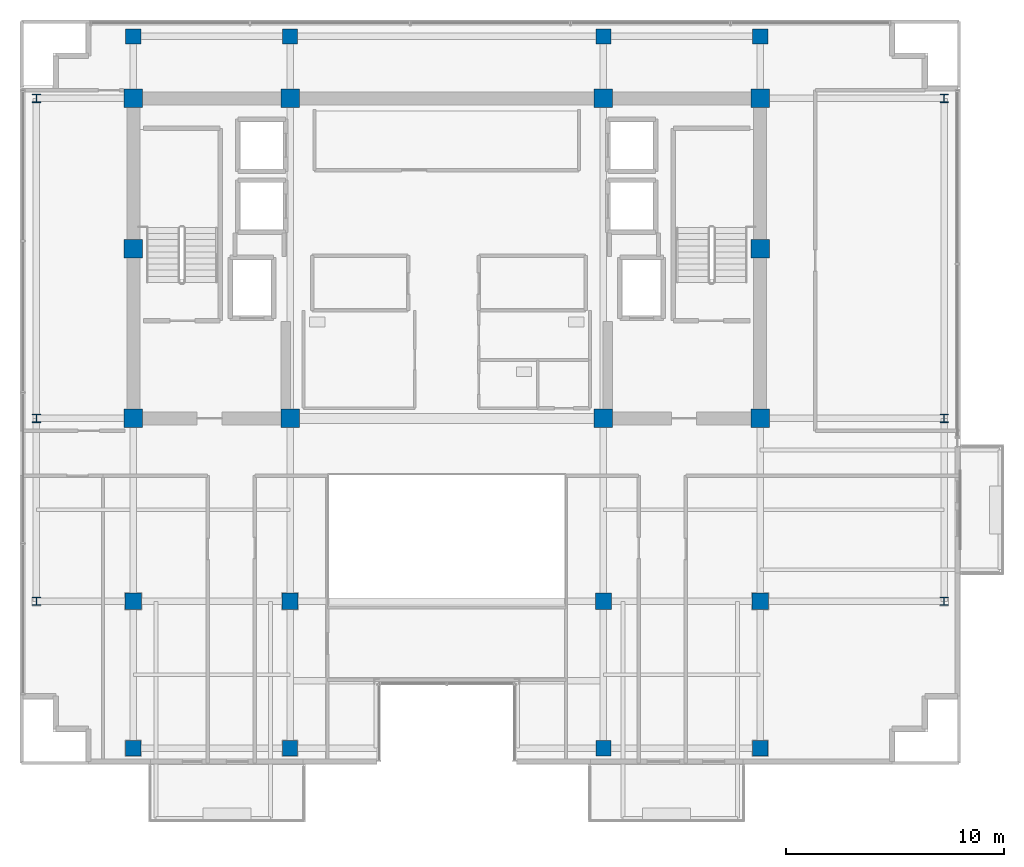
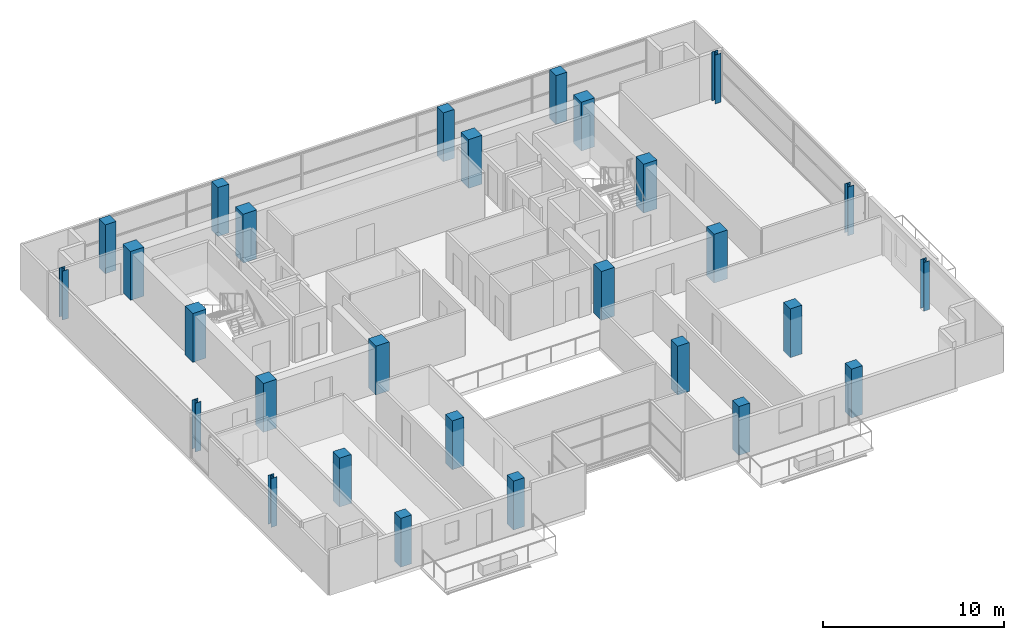
# One storey, part 1 of 22: 28 columns.
"""IFC4 building model written with IfcOpenShell, lengths in metres."""

from ifc_helpers import new_model, si_unit, direction, frame, origin, origin_2d, place, context, subcontext, project, spatial, rectangle, i_section, extrude, material, material_profile, profile_set, type_object, element, save


model = new_model("IFC4")

# Units and contexts
model_context = context("Model", 3, precision=1e-05, world=origin(), true_north=direction((0.0, 1.0)))
body_context = subcontext(model_context, "Body", "Model", "MODEL_VIEW")
ifc_project = project(units=[si_unit("LENGTHUNIT", "METRE"), si_unit("AREAUNIT", "SQUARE_METRE"), si_unit("VOLUMEUNIT", "CUBIC_METRE"), si_unit("PLANEANGLEUNIT", "RADIAN"), si_unit("MASSUNIT", "GRAM", prefix="KILO")], contexts=[model_context])

# Site, building, storey
site_placement = place(None, origin())
site = spatial("IfcSite", under=ifc_project, at=site_placement, CompositionType="ELEMENT")
building_placement = place(site_placement, origin())
building = spatial("IfcBuilding", under=site, at=building_placement, Name="Zarnakvel Exchange Tower", CompositionType="ELEMENT")
storey_placement = place(building_placement, frame((0.0, 0.0, 238.60009765625)))
storey = spatial("IfcBuildingStorey", under=building, at=storey_placement, Name="L67", CompositionType="ELEMENT", Elevation=238.60009765625)

# Columns
ifc_material_1 = material(Name="Concrete C50/60", Category="concrete")
ifc_material_profile_1 = material_profile(ifc_material_1, rectangle(XDim=0.85009765625, YDim=0.85009765625, at=origin_2d()))
ifc_profile_set_1 = profile_set([ifc_material_profile_1], Name="Concrete C50/60")
column_type_1 = type_object("IfcColumnType", Name="CC-03", PredefinedType="COLUMN", material=ifc_profile_set_1)
for number, where, z_axis, x_axis, name in (
    (1, (-14.39990234375, -1.199951171875, 0.0), (0.0, 0.0, 1.0), (1.0, 0.0, 0.0), "L67 Column C-4D (CC-03)"),
    (2, (-7.199951171875, -1.199951171875, 0.0), (0.0, 0.0, 1.0), (1.0, 0.0, 0.0), "L67 Column C-5D (CC-03)"),
    (3, (7.199951171875, -1.199951171875, 0.0), (0.0, 0.0, 1.0), (1.0, 0.0, 0.0), "L67 Column C-8D (CC-03)"),
    (4, (14.39990234375, -1.199951171875, 0.0), (0.0, 0.0, 1.0), (1.0, 0.0, 0.0), "L67 Column C-9D (CC-03)"),
    (5, (-14.39990234375, 6.60009765625, 0.0), (0.0, 0.0, 1.0), (1.0, 0.0, 0.0), "L67 Column C-4E (CC-03)"),
    (6, (14.39990234375, 6.60009765625, 0.0), (0.0, 0.0, 1.0), (1.0, 0.0, 0.0), "L67 Column C-9E (CC-03)"),
    (7, (-14.39990234375, 13.5, 0.0), (0.0, 0.0, 1.0), (1.0, 0.0, 0.0), "L67 Column C-4F (CC-03)"),
    (8, (-7.199951171875, 13.5, 0.0), (0.0, 0.0, 1.0), (1.0, 0.0, 0.0), "L67 Column C-5F (CC-03)"),
    (9, (7.199951171875, 13.5, 0.0), (0.0, 0.0, 1.0), (1.0, 0.0, 0.0), "L67 Column C-8F (CC-03)"),
    (10, (14.39990234375, 13.5, 0.0), (0.0, 0.0, 1.0), (1.0, 0.0, 0.0), "L67 Column C-9F (CC-03)"),
):
    element("IfcColumn", number, at=place(storey_placement, frame(where, z_axis=z_axis, x_axis=x_axis)), inside=storey, type_object=column_type_1, Name=name, PredefinedType="COLUMN", context=body_context, shape_type="SweptSolid", body=[
        extrude(rectangle(XDim=0.85009765625, YDim=0.85009765625, at=origin_2d()), origin(), (0.0, 0.0, 1.0), 3.2998046875),
    ])
ifc_material_2 = material(Name="Steel S355", Category="steel")
ifc_material_profile_2 = material_profile(ifc_material_2, i_section(OverallWidth=0.374755859375, OverallDepth=0.37451171875, WebThickness=0.0166015625, FlangeThickness=0.027099609375, FilletRadius=0.01513671875, at=origin_2d()))
ifc_profile_set_2 = profile_set([ifc_material_profile_2], Name="Steel S355")
column_type_2 = type_object("IfcColumnType", Name="SC-05", PredefinedType="COLUMN", material=ifc_profile_set_2)
for number, where, z_axis, x_axis, name in (
    (11, (-18.85009765625, -9.60009765625, 0.0), (0.0, 0.0, 1.0), (1.0, 0.0, 0.0), "L67 Column TW-C (SC-05)"),
    (12, (22.85009765625, -9.60009765625, 0.0), (0.0, 0.0, 1.0), (1.0, 0.0, 0.0), "L67 Column TE-C (SC-05)"),
    (13, (-18.85009765625, -1.199951171875, 0.0), (0.0, 0.0, 1.0), (1.0, 0.0, 0.0), "L67 Column TW-D (SC-05)"),
    (14, (22.85009765625, -1.199951171875, 0.0), (0.0, 0.0, 1.0), (1.0, 0.0, 0.0), "L67 Column TE-D (SC-05)"),
    (15, (-18.85009765625, 13.5, 0.0), (0.0, 0.0, 1.0), (1.0, 0.0, 0.0), "L67 Column TW-F (SC-05)"),
    (16, (22.85009765625, 13.5, 0.0), (0.0, 0.0, 1.0), (1.0, 0.0, 0.0), "L67 Column TE-F (SC-05)"),
):
    element("IfcColumn", number, at=place(storey_placement, frame(where, z_axis=z_axis, x_axis=x_axis)), inside=storey, type_object=column_type_2, Name=name, PredefinedType="COLUMN", context=body_context, shape_type="SweptSolid", body=[
        extrude(i_section(OverallWidth=0.374755859375, OverallDepth=0.37451171875, WebThickness=0.0166015625, FlangeThickness=0.027099609375, FilletRadius=0.01513671875, at=origin_2d()), origin(), (0.0, 0.0, 1.0), 3.2998046875),
    ])
ifc_material_profile_3 = material_profile(ifc_material_1, rectangle(XDim=0.75, YDim=0.75, at=origin_2d()))
ifc_profile_set_3 = profile_set([ifc_material_profile_3], Name="Concrete C50/60")
column_type_3 = type_object("IfcColumnType", Name="TC-04", PredefinedType="COLUMN", material=ifc_profile_set_3)
for number, where, z_axis, x_axis, name in (
    (17, (-14.39990234375, -9.60009765625, 0.0), (0.0, 0.0, 1.0), (1.0, 0.0, 0.0), "L67 Column T-4C (TC-04)"),
    (18, (-7.199951171875, -9.60009765625, 0.0), (0.0, 0.0, 1.0), (1.0, 0.0, 0.0), "L67 Column T-5C (TC-04)"),
    (19, (7.199951171875, -9.60009765625, 0.0), (0.0, 0.0, 1.0), (1.0, 0.0, 0.0), "L67 Column T-8C (TC-04)"),
    (20, (14.39990234375, -9.60009765625, 0.0), (0.0, 0.0, 1.0), (1.0, 0.0, 0.0), "L67 Column T-9C (TC-04)"),
):
    element("IfcColumn", number, at=place(storey_placement, frame(where, z_axis=z_axis, x_axis=x_axis)), inside=storey, type_object=column_type_3, Name=name, PredefinedType="COLUMN", context=body_context, shape_type="SweptSolid", body=[
        extrude(rectangle(XDim=0.75, YDim=0.75, at=origin_2d()), origin(), (0.0, 0.0, 1.0), 3.2998046875),
    ])
ifc_material_profile_4 = material_profile(ifc_material_1, rectangle(XDim=0.699951171875, YDim=0.699951171875, at=origin_2d()))
ifc_profile_set_4 = profile_set([ifc_material_profile_4], Name="Concrete C50/60")
column_type_4 = type_object("IfcColumnType", Name="TC-05", PredefinedType="COLUMN", material=ifc_profile_set_4)
for number, where, z_axis, x_axis, name in (
    (21, (-14.39990234375, -16.35009765625, 0.0), (0.0, 0.0, 1.0), (1.0, 0.0, 0.0), "L67 Column TS-4 (TC-05)"),
    (22, (-14.39990234375, 16.35009765625, 0.0), (0.0, 0.0, 1.0), (1.0, 0.0, 0.0), "L67 Column TN-4 (TC-05)"),
    (23, (-7.199951171875, -16.35009765625, 0.0), (0.0, 0.0, 1.0), (1.0, 0.0, 0.0), "L67 Column TS-5 (TC-05)"),
    (24, (-7.199951171875, 16.35009765625, 0.0), (0.0, 0.0, 1.0), (1.0, 0.0, 0.0), "L67 Column TN-5 (TC-05)"),
    (25, (7.199951171875, -16.35009765625, 0.0), (0.0, 0.0, 1.0), (1.0, 0.0, 0.0), "L67 Column TS-8 (TC-05)"),
    (26, (7.199951171875, 16.35009765625, 0.0), (0.0, 0.0, 1.0), (1.0, 0.0, 0.0), "L67 Column TN-8 (TC-05)"),
    (27, (14.39990234375, -16.35009765625, 0.0), (0.0, 0.0, 1.0), (1.0, 0.0, 0.0), "L67 Column TS-9 (TC-05)"),
    (28, (14.39990234375, 16.35009765625, 0.0), (0.0, 0.0, 1.0), (1.0, 0.0, 0.0), "L67 Column TN-9 (TC-05)"),
):
    element("IfcColumn", number, at=place(storey_placement, frame(where, z_axis=z_axis, x_axis=x_axis)), inside=storey, type_object=column_type_4, Name=name, PredefinedType="COLUMN", context=body_context, shape_type="SweptSolid", body=[
        extrude(rectangle(XDim=0.699951171875, YDim=0.699951171875, at=origin_2d()), origin(), (0.0, 0.0, 1.0), 3.2998046875),
    ])

save(model, "model.ifc")
